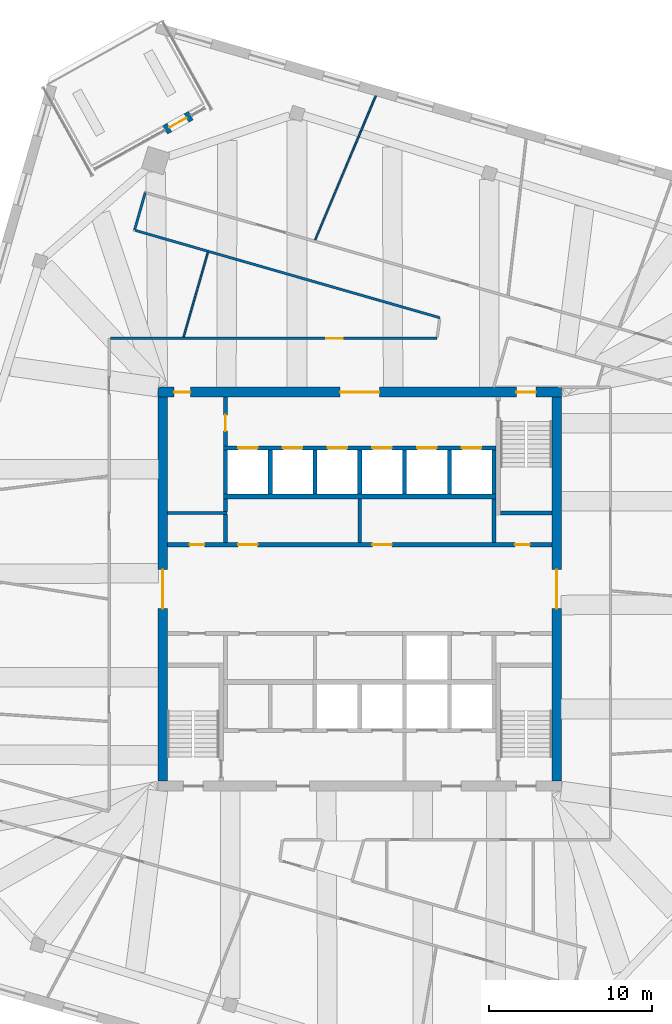
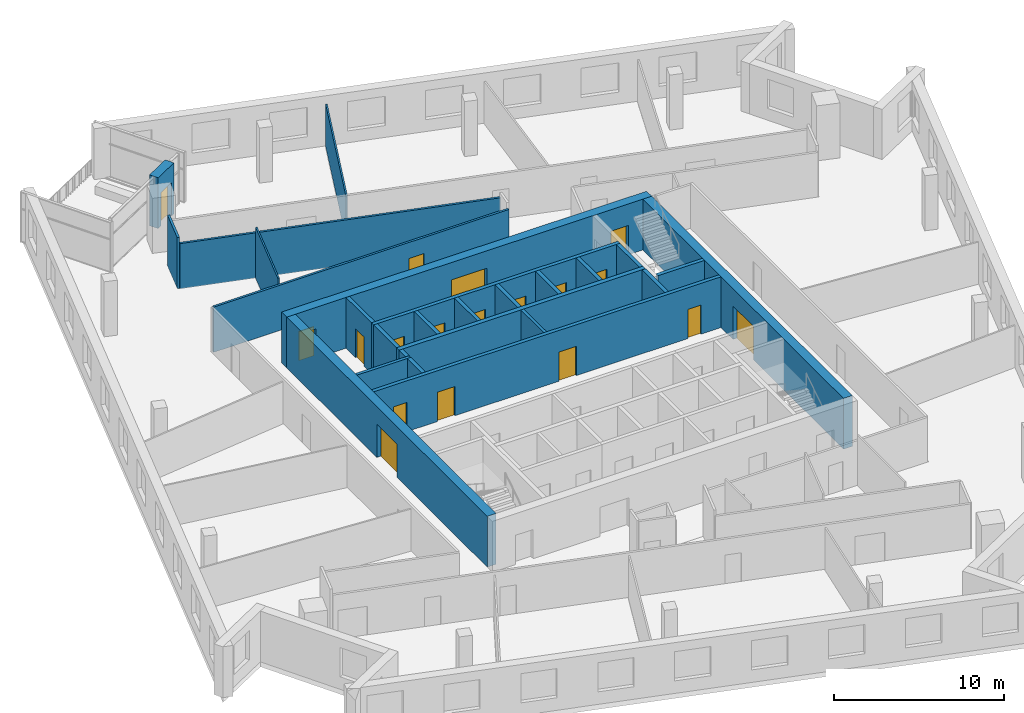
# One storey, part 10 of 15: 26 walls, 18 doors, 18 openings.
"""IFC4 building model written with IfcOpenShell, lengths in metres."""

from ifc_helpers import new_model, si_unit, direction, frame, frame_2d, origin, place, context, subcontext, project, spatial, rectangle, extrude, material, layer, layer_set, type_object, element, fill, save


model = new_model("IFC4")

# Units and contexts
model_context = context("Model", 3, precision=1e-05, world=origin(), true_north=direction((0.0, 1.0)))
body_context = subcontext(model_context, "Body", "Model", "MODEL_VIEW")
ifc_project = project(units=[si_unit("LENGTHUNIT", "METRE"), si_unit("AREAUNIT", "SQUARE_METRE"), si_unit("VOLUMEUNIT", "CUBIC_METRE"), si_unit("PLANEANGLEUNIT", "RADIAN"), si_unit("MASSUNIT", "GRAM", prefix="KILO")], contexts=[model_context])

# Site, building, storey
site_placement = place(None, origin())
site = spatial("IfcSite", under=ifc_project, at=site_placement, CompositionType="ELEMENT")
building_placement = place(site_placement, origin())
building = spatial("IfcBuilding", under=site, at=building_placement, Name="Dilmun Exchange Tower", CompositionType="ELEMENT")
storey_placement = place(building_placement, frame((0.0, 0.0, 328.5)))
storey = spatial("IfcBuildingStorey", under=building, at=storey_placement, Name="L78", CompositionType="ELEMENT", Elevation=328.5)

# Walls
ifc_material_1 = material(Name="Concrete C40/50", Category="concrete")
ifc_layer_1 = layer(ifc_material_1, 0.199951171875)
ifc_layer_set_1 = layer_set([ifc_layer_1], Name="Concrete C40/50")
wall_type_1 = type_object("IfcWallType", Name="Core partition wall 200", PredefinedType="PARTITIONING", material=ifc_layer_set_1)
wall_1_placement = place(storey_placement, frame((0.0, 2.85498046875, 0.0), z_axis=(0.0, 0.0, 1.0), x_axis=(0.0, 1.0, 0.0)))
element("IfcWall", 1, at=wall_1_placement, inside=storey, type_object=wall_type_1, Name="L78 core partition wall 13", PredefinedType="PARTITIONING", context=body_context, shape_type="SweptSolid", body=[
    extrude(rectangle(XDim=2.68994140625, YDim=0.199951171875, at=frame_2d((1.344970703125, 0.0))), origin(), (0.0, 0.0, 1.0), 3.64990234375),
])
wall_2_placement = place(storey_placement, frame((-11.794921875, 4.675048828125, 0.0), z_axis=(0.0, 0.0, 1.0), x_axis=(1.0, 0.0, 0.0)))
element("IfcWall", 2, at=wall_2_placement, inside=storey, type_object=wall_type_1, Name="L78 core partition wall 15", PredefinedType="PARTITIONING", context=body_context, shape_type="SweptSolid", body=[
    extrude(rectangle(XDim=3.64501953125, YDim=0.199951171875, at=frame_2d((1.822509765625, 0.0))), origin(), (0.0, 0.0, 1.0), 3.64990234375),
])

# Wall, openings, doors
ifc_layer_2 = layer(ifc_material_1, 0.25)
ifc_layer_set_2 = layer_set([ifc_layer_2], Name="Concrete C40/50")
wall_type_2 = type_object("IfcWallType", Name="Core partition wall 250", PredefinedType="PARTITIONING", material=ifc_layer_set_2)
wall_3_placement = place(storey_placement, frame((-11.794921875, 2.72509765625, 0.0), z_axis=(0.0, 0.0, 1.0), x_axis=(1.0, 0.0, 0.0)))
wall_3 = element("IfcWall", 3, at=wall_3_placement, inside=storey, type_object=wall_type_2, Name="L78 core partition wall 11", PredefinedType="PARTITIONING", context=body_context, shape_type="SweptSolid", body=[
    extrude(rectangle(XDim=23.58984375, YDim=0.25, at=frame_2d((11.794921875, 0.0))), origin(), (0.0, 0.0, 1.0), 3.64990234375),
])
opening_1_placement = place(wall_3_placement, frame((21.344970703125, 0.0, 0.0)))
opening_1 = element("IfcOpeningElement", 4, at=opening_1_placement, cuts=wall_3, Name="Opening CD6", PredefinedType="OPENING", context=body_context, shape_type="SweptSolid", body=[
    extrude(rectangle(XDim=0.89990234375, YDim=2.10009765625, at=frame_2d((0.449951171875, 1.050048828125))), frame((0.0, 0.135009765625, 0.0), z_axis=(0.0, -1.0, 0.0), x_axis=(1.0, 0.0, 0.0)), (0.0, 0.0, 1.0), 0.27001953125),
])
opening_2_placement = place(wall_3_placement, frame((1.344970703125, 0.0, 0.0)))
opening_2 = element("IfcOpeningElement", 5, at=opening_2_placement, cuts=wall_3, Name="Opening CD6", PredefinedType="OPENING", context=body_context, shape_type="SweptSolid", body=[
    extrude(rectangle(XDim=0.89990234375, YDim=2.10009765625, at=frame_2d((0.449951171875, 1.050048828125))), frame((0.0, 0.135009765625, 0.0), z_axis=(0.0, -1.0, 0.0), x_axis=(1.0, 0.0, 0.0)), (0.0, 0.0, 1.0), 0.27001953125),
])
opening_3_placement = place(wall_3_placement, frame((4.320068359375, 0.0, 0.0)))
opening_3 = element("IfcOpeningElement", 6, at=opening_3_placement, cuts=wall_3, Name="Opening CD3", PredefinedType="OPENING", context=body_context, shape_type="SweptSolid", body=[
    extrude(rectangle(XDim=1.199951171875, YDim=2.10009765625, at=frame_2d((0.60009765625, 1.050048828125))), frame((0.0, 0.135009765625, 0.0), z_axis=(0.0, -1.0, 0.0), x_axis=(1.0, 0.0, 0.0)), (0.0, 0.0, 1.0), 0.27001953125),
])
opening_4_placement = place(wall_3_placement, frame((12.570068359375, 0.0, 0.0)))
opening_4 = element("IfcOpeningElement", 7, at=opening_4_placement, cuts=wall_3, Name="Opening CD3", PredefinedType="OPENING", context=body_context, shape_type="SweptSolid", body=[
    extrude(rectangle(XDim=1.199951171875, YDim=2.10009765625, at=frame_2d((0.60009765625, 1.050048828125))), frame((0.0, 0.135009765625, 0.0), z_axis=(0.0, -1.0, 0.0), x_axis=(1.0, 0.0, 0.0)), (0.0, 0.0, 1.0), 0.27001953125),
])
ifc_material_2 = material(Name="Fire-rated steel door set", Category="steel")
door_type_1 = type_object("IfcDoorType", Name="Core room door 900x2100", OperationType="SINGLE_SWING_LEFT", PredefinedType="DOOR", material=ifc_material_2)
door_1_placement = place(opening_1_placement, origin())
door_1 = element("IfcDoor", 8, at=door_1_placement, inside=storey, type_object=door_type_1, Name="L78 door Electrical riser", OperationType="SINGLE_SWING_LEFT", OverallHeight=2.10009765625, OverallWidth=0.89990234375, PredefinedType="DOOR", context=body_context, shape_type="SweptSolid", body=[
    extrude(rectangle(XDim=0.89990234375, YDim=2.10009765625, at=frame_2d((0.449951171875, 1.050048828125))), frame((0.0, 0.02490234375, 0.0), z_axis=(0.0, -1.0, 0.0), x_axis=(1.0, 0.0, 0.0)), (0.0, 0.0, 1.0), 0.050048828125),
])
fill(opening_1, door_1)
door_2_placement = place(opening_2_placement, origin())
door_2 = element("IfcDoor", 9, at=door_2_placement, inside=storey, type_object=door_type_1, Name="L78 door Plumbing riser", OperationType="SINGLE_SWING_LEFT", OverallHeight=2.10009765625, OverallWidth=0.89990234375, PredefinedType="DOOR", context=body_context, shape_type="SweptSolid", body=[
    extrude(rectangle(XDim=0.89990234375, YDim=2.10009765625, at=frame_2d((0.449951171875, 1.050048828125))), frame((0.0, 0.02490234375, 0.0), z_axis=(0.0, -1.0, 0.0), x_axis=(1.0, 0.0, 0.0)), (0.0, 0.0, 1.0), 0.050048828125),
])
fill(opening_2, door_2)
door_type_2 = type_object("IfcDoorType", Name="Stair exit door 1200x2100", OperationType="SINGLE_SWING_LEFT", PredefinedType="DOOR", material=ifc_material_2)
door_3_placement = place(opening_3_placement, origin())
door_3 = element("IfcDoor", 10, at=door_3_placement, inside=storey, type_object=door_type_2, Name="L78 door Building management office", OperationType="SINGLE_SWING_LEFT", OverallHeight=2.10009765625, OverallWidth=1.199951171875, PredefinedType="DOOR", context=body_context, shape_type="SweptSolid", body=[
    extrude(rectangle(XDim=1.199951171875, YDim=2.10009765625, at=frame_2d((0.60009765625, 1.050048828125))), frame((0.0, 0.02490234375, 0.0), z_axis=(0.0, -1.0, 0.0), x_axis=(1.0, 0.0, 0.0)), (0.0, 0.0, 1.0), 0.050048828125),
])
fill(opening_3, door_3)
door_4_placement = place(opening_4_placement, origin())
door_4 = element("IfcDoor", 11, at=door_4_placement, inside=storey, type_object=door_type_2, Name="L78 door Tenant meeting suite", OperationType="SINGLE_SWING_LEFT", OverallHeight=2.10009765625, OverallWidth=1.199951171875, PredefinedType="DOOR", context=body_context, shape_type="SweptSolid", body=[
    extrude(rectangle(XDim=1.199951171875, YDim=2.10009765625, at=frame_2d((0.60009765625, 1.050048828125))), frame((0.0, 0.02490234375, 0.0), z_axis=(0.0, -1.0, 0.0), x_axis=(1.0, 0.0, 0.0)), (0.0, 0.0, 1.0), 0.050048828125),
])
fill(opening_4, door_4)

# Walls
wall_4_placement = place(storey_placement, frame((-8.25, 2.85498046875, 0.0), z_axis=(0.0, 0.0, 1.0), x_axis=(0.0, 1.0, 0.0)))
element("IfcWall", 12, at=wall_4_placement, inside=storey, type_object=wall_type_2, Name="L78 core partition wall 12", PredefinedType="PARTITIONING", context=body_context, shape_type="SweptSolid", body=[
    extrude(rectangle(XDim=1.715087890625, YDim=0.25, at=frame_2d((0.857421875, 0.0))), origin(), (0.0, 0.0, 1.0), 3.64990234375),
])
wall_5_placement = place(storey_placement, frame((8.25, 2.85498046875, 0.0), z_axis=(0.0, 0.0, 1.0), x_axis=(0.0, 1.0, 0.0)))
element("IfcWall", 13, at=wall_5_placement, inside=storey, type_object=wall_type_2, Name="L78 core partition wall 14", PredefinedType="PARTITIONING", context=body_context, shape_type="SweptSolid", body=[
    extrude(rectangle(XDim=2.68994140625, YDim=0.25, at=frame_2d((1.344970703125, 0.0))), origin(), (0.0, 0.0, 1.0), 3.64990234375),
])
wall_6_placement = place(storey_placement, frame((-8.25, 4.780029296875, 0.0), z_axis=(0.0, 0.0, 1.0), x_axis=(0.0, 1.0, 0.0)))
element("IfcWall", 14, at=wall_6_placement, inside=storey, type_object=wall_type_2, Name="L78 core partition wall 16", PredefinedType="PARTITIONING", context=body_context, shape_type="SweptSolid", body=[
    extrude(rectangle(XDim=0.764892578125, YDim=0.25, at=frame_2d((0.38232421875, 0.0))), origin(), (0.0, 0.0, 1.0), 3.64990234375),
])

# Wall, opening, door
wall_7_placement = place(storey_placement, frame((-8.25, 8.804931640625, 0.0), z_axis=(0.0, 0.0, 1.0), x_axis=(0.0, 1.0, 0.0)))
wall_7 = element("IfcWall", 15, at=wall_7_placement, inside=storey, type_object=wall_type_2, Name="L78 core partition wall 17", PredefinedType="PARTITIONING", context=body_context, shape_type="SweptSolid", body=[
    extrude(rectangle(XDim=2.989990234375, YDim=0.25, at=frame_2d((1.4951171875, 0.0))), origin(), (0.0, 0.0, 1.0), 3.64990234375),
])
opening_5_placement = place(wall_7_placement, frame((0.89501953125, 0.0, 0.0)))
opening_5 = element("IfcOpeningElement", 16, at=opening_5_placement, cuts=wall_7, Name="Opening CD4", PredefinedType="OPENING", context=body_context, shape_type="SweptSolid", body=[
    extrude(rectangle(XDim=1.0, YDim=2.10009765625, at=frame_2d((0.5, 1.050048828125))), frame((0.0, 0.135009765625, 0.0), z_axis=(0.0, -1.0, 0.0), x_axis=(1.0, 0.0, 0.0)), (0.0, 0.0, 1.0), 0.27001953125),
])
door_type_3 = type_object("IfcDoorType", Name="Core room door 1000x2100", OperationType="SINGLE_SWING_LEFT", PredefinedType="DOOR", material=ifc_material_2)
door_5_placement = place(opening_5_placement, origin())
door_5 = element("IfcDoor", 17, at=door_5_placement, inside=storey, type_object=door_type_3, Name="L78 door Building services room", OperationType="SINGLE_SWING_LEFT", OverallHeight=2.10009765625, OverallWidth=1.0, PredefinedType="DOOR", context=body_context, shape_type="SweptSolid", body=[
    extrude(rectangle(XDim=1.0, YDim=2.10009765625, at=frame_2d((0.5, 1.050048828125))), frame((0.0, 0.02490234375, 0.0), z_axis=(0.0, -1.0, 0.0), x_axis=(1.0, 0.0, 0.0)), (0.0, 0.0, 1.0), 0.050048828125),
])
fill(opening_5, door_5)

# Wall, openings, doors
ifc_material_3 = material(Name="Concrete C50/60", Category="concrete")
ifc_layer_3 = layer(ifc_material_3, 0.60009765625)
ifc_layer_set_3 = layer_set([ifc_layer_3], Name="Concrete C50/60")
wall_type_3 = type_object("IfcWallType", Name="Core shear wall 600 Concrete C50/60", PredefinedType="SHEAR", material=ifc_layer_set_3)
wall_8_placement = place(storey_placement, frame((-12.39990234375, 12.10009765625, 0.0), z_axis=(0.0, 0.0, 1.0), x_axis=(1.0, 0.0, 0.0)))
wall_8 = element("IfcWall", 18, at=wall_8_placement, inside=storey, type_object=wall_type_3, Name="L78 core shear wall N", PredefinedType="SHEAR", context=body_context, shape_type="SweptSolid", body=[
    extrude(rectangle(XDim=24.7998046875, YDim=0.60009765625, at=frame_2d((12.39990234375, 0.0))), origin(), (0.0, 0.0, 1.0), 3.64990234375),
])
opening_6_placement = place(wall_8_placement, frame((11.199951171875, 0.0, 0.0)))
opening_6 = element("IfcOpeningElement", 19, at=opening_6_placement, cuts=wall_8, Name="Opening CD1", PredefinedType="OPENING", context=body_context, shape_type="SweptSolid", body=[
    extrude(rectangle(XDim=2.39990234375, YDim=2.39990234375, at=frame_2d((1.199951171875, 1.199951171875))), frame((0.0, 0.31005859375, 0.0), z_axis=(0.0, -1.0, 0.0), x_axis=(1.0, 0.0, 0.0)), (0.0, 0.0, 1.0), 0.6201171875),
])
opening_7_placement = place(wall_8_placement, frame((22.02490234375, 0.0, 0.0)))
opening_7 = element("IfcOpeningElement", 20, at=opening_7_placement, cuts=wall_8, Name="Opening CD3", PredefinedType="OPENING", context=body_context, shape_type="SweptSolid", body=[
    extrude(rectangle(XDim=1.199951171875, YDim=2.10009765625, at=frame_2d((0.60009765625, 1.050048828125))), frame((0.0, 0.31005859375, 0.0), z_axis=(0.0, -1.0, 0.0), x_axis=(1.0, 0.0, 0.0)), (0.0, 0.0, 1.0), 0.6201171875),
])
opening_8_placement = place(wall_8_placement, frame((1.0, 0.0, 0.0)))
opening_8 = element("IfcOpeningElement", 21, at=opening_8_placement, cuts=wall_8, Name="Opening CD4", PredefinedType="OPENING", context=body_context, shape_type="SweptSolid", body=[
    extrude(rectangle(XDim=1.0, YDim=2.10009765625, at=frame_2d((0.5, 1.050048828125))), frame((0.0, 0.31005859375, 0.0), z_axis=(0.0, -1.0, 0.0), x_axis=(1.0, 0.0, 0.0)), (0.0, 0.0, 1.0), 0.6201171875),
])
door_type_4 = type_object("IfcDoorType", Name="Core lobby door 2400x2400", OperationType="DOUBLE_DOOR_DOUBLE_SWING", PredefinedType="DOOR", material=ifc_material_2)
door_6_placement = place(opening_6_placement, origin())
door_6 = element("IfcDoor", 22, at=door_6_placement, inside=storey, type_object=door_type_4, Name="L78 door North lift lobby", OperationType="SINGLE_SWING_LEFT", OverallHeight=2.39990234375, OverallWidth=2.39990234375, PredefinedType="DOOR", context=body_context, shape_type="SweptSolid", body=[
    extrude(rectangle(XDim=2.39990234375, YDim=2.39990234375, at=frame_2d((1.199951171875, 1.199951171875))), frame((0.0, 0.02490234375, 0.0), z_axis=(0.0, -1.0, 0.0), x_axis=(1.0, 0.0, 0.0)), (0.0, 0.0, 1.0), 0.050048828125),
])
fill(opening_6, door_6)
door_7_placement = place(opening_8_placement, origin())
door_7 = element("IfcDoor", 23, at=door_7_placement, inside=storey, type_object=door_type_3, Name="L78 door North-west core rooms", OperationType="SINGLE_SWING_LEFT", OverallHeight=2.10009765625, OverallWidth=1.0, PredefinedType="DOOR", context=body_context, shape_type="SweptSolid", body=[
    extrude(rectangle(XDim=1.0, YDim=2.10009765625, at=frame_2d((0.5, 1.050048828125))), frame((0.0, 0.02490234375, 0.0), z_axis=(0.0, -1.0, 0.0), x_axis=(1.0, 0.0, 0.0)), (0.0, 0.0, 1.0), 0.050048828125),
])
fill(opening_8, door_7)
door_8_placement = place(opening_7_placement, origin())
door_8 = element("IfcDoor", 24, at=door_8_placement, inside=storey, type_object=door_type_2, Name="L78 door Stair ST1", OperationType="SINGLE_SWING_LEFT", OverallHeight=2.10009765625, OverallWidth=1.199951171875, PredefinedType="DOOR", context=body_context, shape_type="SweptSolid", body=[
    extrude(rectangle(XDim=1.199951171875, YDim=2.10009765625, at=frame_2d((0.60009765625, 1.050048828125))), frame((0.0, 0.02490234375, 0.0), z_axis=(0.0, -1.0, 0.0), x_axis=(1.0, 0.0, 0.0)), (0.0, 0.0, 1.0), 0.050048828125),
])
fill(opening_7, door_8)

# Wall, opening, door
wall_9_placement = place(storey_placement, frame((12.10009765625, -11.800048828125, 0.0), z_axis=(0.0, 0.0, 1.0), x_axis=(0.0, 1.0, 0.0)))
wall_9 = element("IfcWall", 25, at=wall_9_placement, inside=storey, type_object=wall_type_3, Name="L78 core shear wall E", PredefinedType="SHEAR", context=body_context, shape_type="SweptSolid", body=[
    extrude(rectangle(XDim=23.60009765625, YDim=0.60009765625, at=frame_2d((11.800048828125, 0.0))), origin(), (0.0, 0.0, 1.0), 3.64990234375),
])
opening_9_placement = place(wall_9_placement, frame((10.60009765625, 0.0, 0.0)))
opening_9 = element("IfcOpeningElement", 26, at=opening_9_placement, cuts=wall_9, Name="Opening CD1", PredefinedType="OPENING", context=body_context, shape_type="SweptSolid", body=[
    extrude(rectangle(XDim=2.39990234375, YDim=2.39990234375, at=frame_2d((1.199951171875, 1.199951171875))), frame((0.0, 0.31005859375, 0.0), z_axis=(0.0, -1.0, 0.0), x_axis=(1.0, 0.0, 0.0)), (0.0, 0.0, 1.0), 0.6201171875),
])
door_9_placement = place(opening_9_placement, origin())
door_9 = element("IfcDoor", 27, at=door_9_placement, inside=storey, type_object=door_type_4, Name="L78 door Central lift lobby", OperationType="SINGLE_SWING_LEFT", OverallHeight=2.39990234375, OverallWidth=2.39990234375, PredefinedType="DOOR", context=body_context, shape_type="SweptSolid", body=[
    extrude(rectangle(XDim=2.39990234375, YDim=2.39990234375, at=frame_2d((1.199951171875, 1.199951171875))), frame((0.0, 0.02490234375, 0.0), z_axis=(0.0, -1.0, 0.0), x_axis=(1.0, 0.0, 0.0)), (0.0, 0.0, 1.0), 0.050048828125),
])
fill(opening_9, door_9)

wall_10_placement = place(storey_placement, frame((-12.10009765625, -11.800048828125, 0.0), z_axis=(0.0, 0.0, 1.0), x_axis=(0.0, 1.0, 0.0)))
wall_10 = element("IfcWall", 28, at=wall_10_placement, inside=storey, type_object=wall_type_3, Name="L78 core shear wall W", PredefinedType="SHEAR", context=body_context, shape_type="SweptSolid", body=[
    extrude(rectangle(XDim=23.60009765625, YDim=0.60009765625, at=frame_2d((11.800048828125, 0.0))), origin(), (0.0, 0.0, 1.0), 3.64990234375),
])
opening_10_placement = place(wall_10_placement, frame((10.60009765625, 0.0, 0.0)))
opening_10 = element("IfcOpeningElement", 29, at=opening_10_placement, cuts=wall_10, Name="Opening CD1", PredefinedType="OPENING", context=body_context, shape_type="SweptSolid", body=[
    extrude(rectangle(XDim=2.39990234375, YDim=2.39990234375, at=frame_2d((1.199951171875, 1.199951171875))), frame((0.0, 0.31005859375, 0.0), z_axis=(0.0, -1.0, 0.0), x_axis=(1.0, 0.0, 0.0)), (0.0, 0.0, 1.0), 0.6201171875),
])
door_10_placement = place(opening_10_placement, origin())
door_10 = element("IfcDoor", 30, at=door_10_placement, inside=storey, type_object=door_type_4, Name="L78 door Central lift lobby", OperationType="SINGLE_SWING_LEFT", OverallHeight=2.39990234375, OverallWidth=2.39990234375, PredefinedType="DOOR", context=body_context, shape_type="SweptSolid", body=[
    extrude(rectangle(XDim=2.39990234375, YDim=2.39990234375, at=frame_2d((1.199951171875, 1.199951171875))), frame((0.0, 0.02490234375, 0.0), z_axis=(0.0, -1.0, 0.0), x_axis=(1.0, 0.0, 0.0)), (0.0, 0.0, 1.0), 0.050048828125),
])
fill(opening_10, door_10)

ifc_material_4 = material(Name="Corridor wall 150")
ifc_layer_4 = layer(ifc_material_4, 0.14990234375)
ifc_layer_set_4 = layer_set([ifc_layer_4], Name="Corridor wall 150")
wall_type_4 = type_object("IfcWallType", Name="Corridor wall 150", PredefinedType="PARTITIONING", material=ifc_layer_set_4)
wall_11_placement = place(storey_placement, frame((-15.324951171875, 15.39990234375, 0.0), z_axis=(0.0, 0.0, 1.0), x_axis=(1.0, 0.0, 0.0)))
wall_11 = element("IfcWall", 31, at=wall_11_placement, inside=storey, type_object=wall_type_4, Name="Corridor wall", PredefinedType="PARTITIONING", context=body_context, shape_type="SweptSolid", body=[
    extrude(rectangle(XDim=20.06884765625, YDim=0.14990234375, at=frame_2d((10.034423828125, 0.0))), origin(), (0.0, 0.0, 1.0), 3.25),
])
opening_11_placement = place(wall_11_placement, frame((13.279296875, 0.0, 0.0)))
opening_11 = element("IfcOpeningElement", 32, at=opening_11_placement, cuts=wall_11, Name="Opening TF77-D08", PredefinedType="OPENING", context=body_context, shape_type="SweptSolid", body=[
    extrude(rectangle(XDim=1.0, YDim=2.10009765625, at=frame_2d((0.5, 1.050048828125))), frame((0.0, 0.0849609375, 0.0), z_axis=(0.0, -1.0, 0.0), x_axis=(1.0, 0.0, 0.0)), (0.0, 0.0, 1.0), 0.169921875),
])
ifc_material_5 = material(Name="Fire door 1000 x 2100")
door_type_5 = type_object("IfcDoorType", Name="Fire door 1000 x 2100", OperationType="NOTDEFINED", PredefinedType="DOOR", material=ifc_material_5)
door_11_placement = place(opening_11_placement, origin())
door_11 = element("IfcDoor", 33, at=door_11_placement, inside=storey, type_object=door_type_5, Name="Door TF77-D08", OperationType="SINGLE_SWING_LEFT", OverallHeight=2.10009765625, OverallWidth=1.0, PredefinedType="DOOR", context=body_context, shape_type="SweptSolid", body=[
    extrude(rectangle(XDim=1.0, YDim=2.10009765625, at=frame_2d((0.5, 1.050048828125))), frame((0.0, 0.02490234375, 0.0), z_axis=(0.0, -1.0, 0.0), x_axis=(1.0, 0.0, 0.0)), (0.0, 0.0, 1.0), 0.050048828125),
])
fill(opening_11, door_11)

# Walls
wall_12_placement = place(storey_placement, frame((-13.8359375, 22.048095703125, 0.0), z_axis=(0.0, 0.0, 1.0), x_axis=(0.275406353885, 0.96132790464, 0.0)))
element("IfcWall", 34, at=wall_12_placement, inside=storey, type_object=wall_type_4, Name="Corridor wall", PredefinedType="PARTITIONING", context=body_context, shape_type="SweptSolid", body=[
    extrude(rectangle(XDim=2.399658203125, YDim=0.14990234375, at=frame_2d((1.19970703125, 0.0))), origin(), (0.0, 0.0, 1.0), 3.64990234375),
])
wall_13_placement = place(storey_placement, frame((-13.763916015625, 22.02734375, 0.0), z_axis=(0.0, 0.0, 1.0), x_axis=(0.961261913281, -0.275636597851, 0.0)))
element("IfcWall", 35, at=wall_13_placement, inside=storey, type_object=wall_type_4, Name="Corridor wall", PredefinedType="PARTITIONING", context=body_context, shape_type="SweptSolid", body=[
    extrude(rectangle(XDim=19.440185546875, YDim=0.14990234375, at=frame_2d((9.72021484375, 0.0))), origin(), (0.0, 0.0, 1.0), 3.25),
])
ifc_layer_5 = layer(ifc_material_1, 0.300048828125)
ifc_layer_set_5 = layer_set([ifc_layer_5], Name="Concrete C40/50")
wall_type_5 = type_object("IfcWallType", Name="Lift shaft shared wall 300", PredefinedType="SOLIDWALL", material=ifc_layer_set_5)
wall_14_placement = place(storey_placement, frame((-8.375, 5.699951171875, 0.0), z_axis=(0.0, 0.0, 1.0), x_axis=(1.0, 0.0, 0.0)))
element("IfcWall", 36, at=wall_14_placement, inside=storey, type_object=wall_type_5, Name="L78 lift shaft rear wall N", PredefinedType="SOLIDWALL", context=body_context, shape_type="SweptSolid", body=[
    extrude(rectangle(XDim=16.75, YDim=0.300048828125, at=frame_2d((8.375, 0.0))), origin(), (0.0, 0.0, 1.0), 3.64990234375),
])

# Wall, openings, doors
ifc_layer_6 = layer(ifc_material_1, 0.25)
ifc_layer_set_6 = layer_set([ifc_layer_6], Name="Concrete C40/50")
wall_type_6 = type_object("IfcWallType", Name="Lift shaft wall 250", PredefinedType="SOLIDWALL", material=ifc_layer_set_6)
wall_15_placement = place(storey_placement, frame((-8.375, 8.675048828125, 0.0), z_axis=(0.0, 0.0, 1.0), x_axis=(1.0, 0.0, 0.0)))
wall_15 = element("IfcWall", 37, at=wall_15_placement, inside=storey, type_object=wall_type_6, Name="L78 lift shaft front wall N2", PredefinedType="SOLIDWALL", context=body_context, shape_type="SweptSolid", body=[
    extrude(rectangle(XDim=16.75, YDim=0.25, at=frame_2d((8.375, 0.0))), origin(), (0.0, 0.0, 1.0), 3.64990234375),
])
opening_12_placement = place(wall_15_placement, frame((0.89990234375, 0.0, 0.0)))
opening_12 = element("IfcOpeningElement", 38, at=opening_12_placement, cuts=wall_15, Name="Opening LD", PredefinedType="OPENING", context=body_context, shape_type="SweptSolid", body=[
    extrude(rectangle(XDim=1.199951171875, YDim=2.10009765625, at=frame_2d((0.60009765625, 1.050048828125))), frame((0.0, 0.135009765625, 0.0), z_axis=(0.0, -1.0, 0.0), x_axis=(1.0, 0.0, 0.0)), (0.0, 0.0, 1.0), 0.27001953125),
])
opening_13_placement = place(wall_15_placement, frame((3.64990234375, 0.0, 0.0)))
opening_13 = element("IfcOpeningElement", 39, at=opening_13_placement, cuts=wall_15, Name="Opening LD", PredefinedType="OPENING", context=body_context, shape_type="SweptSolid", body=[
    extrude(rectangle(XDim=1.199951171875, YDim=2.10009765625, at=frame_2d((0.60009765625, 1.050048828125))), frame((0.0, 0.135009765625, 0.0), z_axis=(0.0, -1.0, 0.0), x_axis=(1.0, 0.0, 0.0)), (0.0, 0.0, 1.0), 0.27001953125),
])
opening_14_placement = place(wall_15_placement, frame((6.39990234375, 0.0, 0.0)))
opening_14 = element("IfcOpeningElement", 40, at=opening_14_placement, cuts=wall_15, Name="Opening LD", PredefinedType="OPENING", context=body_context, shape_type="SweptSolid", body=[
    extrude(rectangle(XDim=1.199951171875, YDim=2.10009765625, at=frame_2d((0.60009765625, 1.050048828125))), frame((0.0, 0.135009765625, 0.0), z_axis=(0.0, -1.0, 0.0), x_axis=(1.0, 0.0, 0.0)), (0.0, 0.0, 1.0), 0.27001953125),
])
opening_15_placement = place(wall_15_placement, frame((9.14990234375, 0.0, 0.0)))
opening_15 = element("IfcOpeningElement", 41, at=opening_15_placement, cuts=wall_15, Name="Opening LD", PredefinedType="OPENING", context=body_context, shape_type="SweptSolid", body=[
    extrude(rectangle(XDim=1.199951171875, YDim=2.10009765625, at=frame_2d((0.60009765625, 1.050048828125))), frame((0.0, 0.135009765625, 0.0), z_axis=(0.0, -1.0, 0.0), x_axis=(1.0, 0.0, 0.0)), (0.0, 0.0, 1.0), 0.27001953125),
])
opening_16_placement = place(wall_15_placement, frame((11.89990234375, 0.0, 0.0)))
opening_16 = element("IfcOpeningElement", 42, at=opening_16_placement, cuts=wall_15, Name="Opening LD", PredefinedType="OPENING", context=body_context, shape_type="SweptSolid", body=[
    extrude(rectangle(XDim=1.199951171875, YDim=2.10009765625, at=frame_2d((0.60009765625, 1.050048828125))), frame((0.0, 0.135009765625, 0.0), z_axis=(0.0, -1.0, 0.0), x_axis=(1.0, 0.0, 0.0)), (0.0, 0.0, 1.0), 0.27001953125),
])
opening_17_placement = place(wall_15_placement, frame((14.64990234375, 0.0, 0.0)))
opening_17 = element("IfcOpeningElement", 43, at=opening_17_placement, cuts=wall_15, Name="Opening LD", PredefinedType="OPENING", context=body_context, shape_type="SweptSolid", body=[
    extrude(rectangle(XDim=1.199951171875, YDim=2.10009765625, at=frame_2d((0.60009765625, 1.050048828125))), frame((0.0, 0.135009765625, 0.0), z_axis=(0.0, -1.0, 0.0), x_axis=(1.0, 0.0, 0.0)), (0.0, 0.0, 1.0), 0.27001953125),
])
door_type_6 = type_object("IfcDoorType", Name="Lift landing door 1200x2100", OperationType="DOUBLE_DOOR_SLIDING", PredefinedType="DOOR", material=ifc_material_2)
door_12_placement = place(opening_12_placement, origin())
door_12 = element("IfcDoor", 44, at=door_12_placement, inside=storey, type_object=door_type_6, Name="L78 landing door HR1", OperationType="DOUBLE_DOOR_SLIDING", OverallHeight=2.10009765625, OverallWidth=1.199951171875, PredefinedType="DOOR", context=body_context, shape_type="SweptSolid", body=[
    extrude(rectangle(XDim=1.199951171875, YDim=2.10009765625, at=frame_2d((0.60009765625, 1.050048828125))), frame((0.0, 0.02490234375, 0.0), z_axis=(0.0, -1.0, 0.0), x_axis=(1.0, 0.0, 0.0)), (0.0, 0.0, 1.0), 0.050048828125),
])
fill(opening_12, door_12)
door_13_placement = place(opening_13_placement, origin())
door_13 = element("IfcDoor", 45, at=door_13_placement, inside=storey, type_object=door_type_6, Name="L78 landing door HR2", OperationType="DOUBLE_DOOR_SLIDING", OverallHeight=2.10009765625, OverallWidth=1.199951171875, PredefinedType="DOOR", context=body_context, shape_type="SweptSolid", body=[
    extrude(rectangle(XDim=1.199951171875, YDim=2.10009765625, at=frame_2d((0.60009765625, 1.050048828125))), frame((0.0, 0.02490234375, 0.0), z_axis=(0.0, -1.0, 0.0), x_axis=(1.0, 0.0, 0.0)), (0.0, 0.0, 1.0), 0.050048828125),
])
fill(opening_13, door_13)
door_14_placement = place(opening_14_placement, origin())
door_14 = element("IfcDoor", 46, at=door_14_placement, inside=storey, type_object=door_type_6, Name="L78 landing door HR3", OperationType="DOUBLE_DOOR_SLIDING", OverallHeight=2.10009765625, OverallWidth=1.199951171875, PredefinedType="DOOR", context=body_context, shape_type="SweptSolid", body=[
    extrude(rectangle(XDim=1.199951171875, YDim=2.10009765625, at=frame_2d((0.60009765625, 1.050048828125))), frame((0.0, 0.02490234375, 0.0), z_axis=(0.0, -1.0, 0.0), x_axis=(1.0, 0.0, 0.0)), (0.0, 0.0, 1.0), 0.050048828125),
])
fill(opening_14, door_14)
door_15_placement = place(opening_15_placement, origin())
door_15 = element("IfcDoor", 47, at=door_15_placement, inside=storey, type_object=door_type_6, Name="L78 landing door HR4", OperationType="DOUBLE_DOOR_SLIDING", OverallHeight=2.10009765625, OverallWidth=1.199951171875, PredefinedType="DOOR", context=body_context, shape_type="SweptSolid", body=[
    extrude(rectangle(XDim=1.199951171875, YDim=2.10009765625, at=frame_2d((0.60009765625, 1.050048828125))), frame((0.0, 0.02490234375, 0.0), z_axis=(0.0, -1.0, 0.0), x_axis=(1.0, 0.0, 0.0)), (0.0, 0.0, 1.0), 0.050048828125),
])
fill(opening_15, door_15)
door_16_placement = place(opening_16_placement, origin())
door_16 = element("IfcDoor", 48, at=door_16_placement, inside=storey, type_object=door_type_6, Name="L78 landing door HR5", OperationType="DOUBLE_DOOR_SLIDING", OverallHeight=2.10009765625, OverallWidth=1.199951171875, PredefinedType="DOOR", context=body_context, shape_type="SweptSolid", body=[
    extrude(rectangle(XDim=1.199951171875, YDim=2.10009765625, at=frame_2d((0.60009765625, 1.050048828125))), frame((0.0, 0.02490234375, 0.0), z_axis=(0.0, -1.0, 0.0), x_axis=(1.0, 0.0, 0.0)), (0.0, 0.0, 1.0), 0.050048828125),
])
fill(opening_16, door_16)
door_17_placement = place(opening_17_placement, origin())
door_17 = element("IfcDoor", 49, at=door_17_placement, inside=storey, type_object=door_type_6, Name="L78 landing door HR6", OperationType="DOUBLE_DOOR_SLIDING", OverallHeight=2.10009765625, OverallWidth=1.199951171875, PredefinedType="DOOR", context=body_context, shape_type="SweptSolid", body=[
    extrude(rectangle(XDim=1.199951171875, YDim=2.10009765625, at=frame_2d((0.60009765625, 1.050048828125))), frame((0.0, 0.02490234375, 0.0), z_axis=(0.0, -1.0, 0.0), x_axis=(1.0, 0.0, 0.0)), (0.0, 0.0, 1.0), 0.050048828125),
])
fill(opening_17, door_17)

# Walls
for number, where, z_axis, x_axis, name in (
    (50, (-8.25, 5.85009765625, 0.0), (0.0, 0.0, 1.0), (0.0, 1.0, 0.0), "L78 lift shaft divider N20"),
    (51, (-5.5, 5.85009765625, 0.0), (0.0, 0.0, 1.0), (0.0, 1.0, 0.0), "L78 lift shaft divider N21"),
    (52, (-2.75, 5.85009765625, 0.0), (0.0, 0.0, 1.0), (0.0, 1.0, 0.0), "L78 lift shaft divider N22"),
    (53, (0.0, 5.85009765625, 0.0), (0.0, 0.0, 1.0), (0.0, 1.0, 0.0), "L78 lift shaft divider N23"),
    (54, (2.75, 5.85009765625, 0.0), (0.0, 0.0, 1.0), (0.0, 1.0, 0.0), "L78 lift shaft divider N24"),
    (55, (5.5, 5.85009765625, 0.0), (0.0, 0.0, 1.0), (0.0, 1.0, 0.0), "L78 lift shaft divider N25"),
    (56, (8.25, 5.85009765625, 0.0), (0.0, 0.0, 1.0), (0.0, 1.0, 0.0), "L78 lift shaft divider N26"),
):
    element("IfcWall", number, at=place(storey_placement, frame(where, z_axis=z_axis, x_axis=x_axis)), inside=storey, type_object=wall_type_6, Name=name, PredefinedType="SOLIDWALL", context=body_context, shape_type="SweptSolid", body=[
        extrude(rectangle(XDim=2.699951171875, YDim=0.25, at=frame_2d((1.35009765625, 0.0))), origin(), (0.0, 0.0, 1.0), 3.64990234375),
    ])
ifc_material_6 = material(Name="Partition 100")
ifc_layer_7 = layer(ifc_material_6, 0.10009765625)
ifc_layer_set_7 = layer_set([ifc_layer_7], Name="Partition 100")
wall_type_7 = type_object("IfcWallType", Name="Partition 100", PredefinedType="PARTITIONING", material=ifc_layer_set_7)
wall_16_placement = place(storey_placement, frame((-10.820556640625, 15.48876953125, 0.0), z_axis=(0.0, 0.0, 1.0), x_axis=(0.275724251057, 0.961236774879, 0.0)))
element("IfcWall", 57, at=wall_16_placement, inside=storey, type_object=wall_type_7, Name="Partition", PredefinedType="PARTITIONING", context=body_context, shape_type="SweptSolid", body=[
    extrude(rectangle(XDim=5.3994140625, YDim=0.10009765625, at=frame_2d((2.69970703125, 0.0))), origin(), (0.0, 0.0, 1.0), 3.64990234375),
])
wall_17_placement = place(storey_placement, frame((-2.740478515625, 21.447021484375, 0.0), z_axis=(0.0, 0.0, 1.0), x_axis=(0.387658102022, 0.921803230596, 0.0)))
element("IfcWall", 58, at=wall_17_placement, inside=storey, type_object=wall_type_7, Name="Partition", PredefinedType="PARTITIONING", context=body_context, shape_type="SweptSolid", body=[
    extrude(rectangle(XDim=9.604736328125, YDim=0.10009765625, at=frame_2d((4.80224609375, 0.0))), origin(), (0.0, 0.0, 1.0), 3.050048828125),
])

# Wall, opening, door
ifc_material_7 = material(Name="Precast concrete C50/60", Category="concrete")
ifc_layer_8 = layer(ifc_material_7, 0.60009765625)
ifc_layer_set_8 = layer_set([ifc_layer_8], Name="Precast concrete C50/60")
wall_type_8 = type_object("IfcWallType", Name="Precast stone-clad wall 600", PredefinedType="STANDARD", material=ifc_layer_set_8)
wall_18_placement = place(storey_placement, frame((-10.380126953125, 29.083740234375, 0.0), z_axis=(0.0, 0.0, 1.0), x_axis=(-0.874604701954, -0.484836689329, 0.0)))
wall_18 = element("IfcWall", 59, at=wall_18_placement, inside=storey, type_object=wall_type_8, Name="Facade wall L78-01-D", PredefinedType="STANDARD", context=body_context, shape_type="SweptSolid", body=[
    extrude(rectangle(XDim=1.80029296875, YDim=0.60009765625, at=frame_2d((0.900146484375, 0.0))), origin(), (0.0, 0.0, 1.0), 3.64990234375),
])
opening_18_placement = place(wall_18_placement, frame((0.300048828125, 0.0, 0.0)))
opening_18 = element("IfcOpeningElement", 60, at=opening_18_placement, cuts=wall_18, Name="Opening GD-1", PredefinedType="OPENING", context=body_context, shape_type="SweptSolid", body=[
    extrude(rectangle(XDim=1.199951171875, YDim=2.39990234375, at=frame_2d((0.60009765625, 1.199951171875))), frame((0.0, 0.31005859375, 0.0), z_axis=(0.0, -1.0, 0.0), x_axis=(1.0, 0.0, 0.0)), (0.0, 0.0, 1.0), 0.6201171875),
])
ifc_material_8 = material(Name="Clear low-emissivity glass in aluminium frame", Category="aluminium")
door_type_7 = type_object("IfcDoorType", Name="Glazed garden door 1200 x 2400", OperationType="SINGLE_SWING_LEFT", PredefinedType="DOOR", material=ifc_material_8)
door_18_placement = place(opening_18_placement, origin())
door_18 = element("IfcDoor", 61, at=door_18_placement, inside=storey, type_object=door_type_7, Name="Garden terrace door", OperationType="SINGLE_SWING_LEFT", OverallHeight=2.39990234375, OverallWidth=1.199951171875, PredefinedType="DOOR", context=body_context, shape_type="SweptSolid", body=[
    extrude(rectangle(XDim=1.199951171875, YDim=2.39990234375, at=frame_2d((0.60009765625, 1.199951171875))), frame((0.0, 0.02490234375, 0.0), z_axis=(0.0, -1.0, 0.0), x_axis=(1.0, 0.0, 0.0)), (0.0, 0.0, 1.0), 0.050048828125),
])
fill(opening_18, door_18)

# Wall
ifc_layer_9 = layer(ifc_material_1, 0.25)
ifc_layer_set_9 = layer_set([ifc_layer_9], Name="Concrete C40/50")
wall_type_9 = type_object("IfcWallType", Name="Stair end wall 250", PredefinedType="SOLIDWALL", material=ifc_layer_set_9)
wall_19_placement = place(storey_placement, frame((8.64990234375, 4.675048828125, 0.0), z_axis=(0.0, 0.0, 1.0), x_axis=(1.0, 0.0, 0.0)))
element("IfcWall", 62, at=wall_19_placement, inside=storey, type_object=wall_type_9, Name="L78 ST1 far wall", PredefinedType="SOLIDWALL", context=body_context, shape_type="SweptSolid", body=[
    extrude(rectangle(XDim=3.150146484375, YDim=0.25, at=frame_2d((1.5751953125, 0.0))), origin(), (0.0, 0.0, 1.0), 3.64990234375),
])

save(model, "model.ifc")
